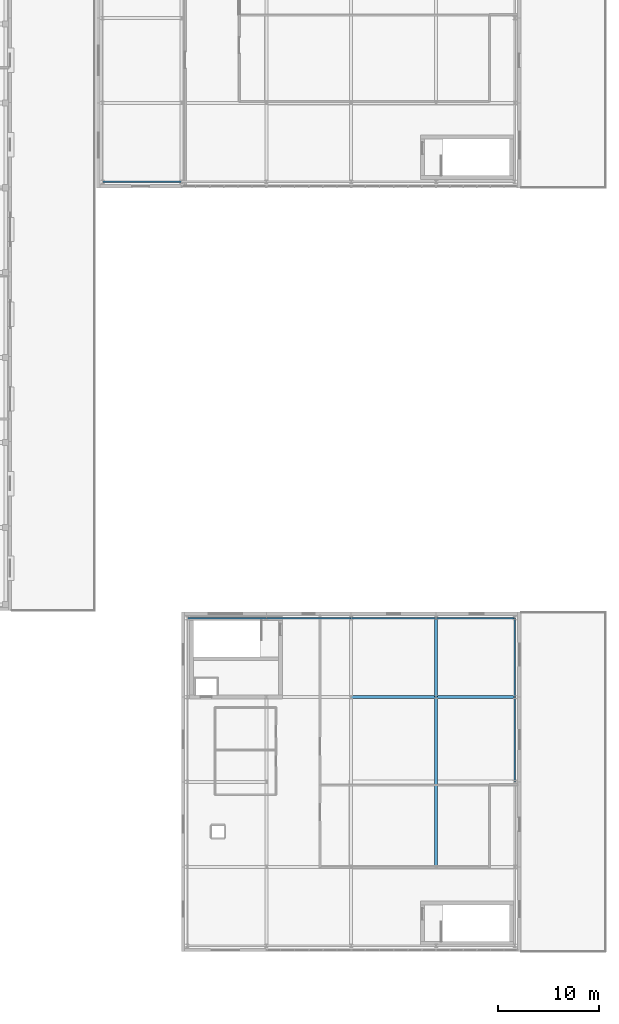
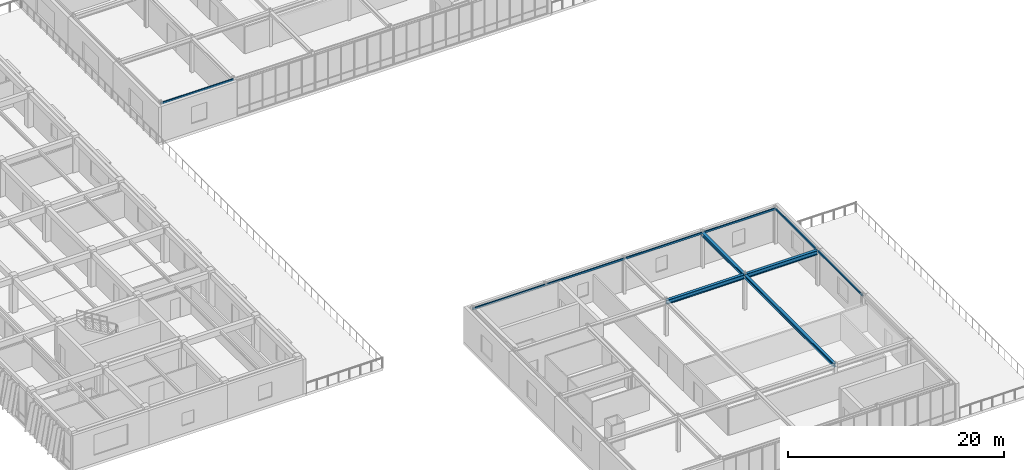
# One storey, part 79 of 127: 11 beams.
"""IFC4 building model written with IfcOpenShell, lengths in metres."""

from ifc_helpers import new_model, si_unit, direction, frame, origin, origin_2d, place, context, subcontext, project, spatial, hollow_rectangle, i_section, extrude, material, material_profile, profile_set, type_object, element, save


model = new_model("IFC4")

# Units and contexts
model_context = context("Model", 3, precision=1e-05, world=origin(), true_north=direction((0.0, 1.0)))
body_context = subcontext(model_context, "Body", "Model", "MODEL_VIEW")
ifc_project = project(units=[si_unit("LENGTHUNIT", "METRE"), si_unit("AREAUNIT", "SQUARE_METRE"), si_unit("VOLUMEUNIT", "CUBIC_METRE"), si_unit("PLANEANGLEUNIT", "RADIAN"), si_unit("MASSUNIT", "GRAM", prefix="KILO")], contexts=[model_context])

# Site, building, storey
site_placement = place(None, origin())
site = spatial("IfcSite", under=ifc_project, at=site_placement, CompositionType="ELEMENT")
building_placement = place(site_placement, origin())
building = spatial("IfcBuilding", under=site, at=building_placement, Name="Zayran Congress Hotel", CompositionType="ELEMENT")
storey_placement = place(building_placement, frame((0.0, 0.0, 10.800048828125)))
storey = spatial("IfcBuildingStorey", under=building, at=storey_placement, Name="L02", CompositionType="ELEMENT", Elevation=10.800048828125)

# Beams
ifc_material = material(Name="Steel S355", Category="steel")
ifc_material_profile_1 = material_profile(ifc_material, i_section(OverallWidth=0.300048828125, OverallDepth=0.489990234375, WebThickness=0.011962890625, FlangeThickness=0.02294921875, at=origin_2d()), Name="HEA 500")
ifc_profile_set_1 = profile_set([ifc_material_profile_1], Name="Steel S355")
beam_type_1 = type_object("IfcBeamType", Name="TP-BM-05", PredefinedType="BEAM", material=ifc_profile_set_1)
beam_1_placement = place(storey_placement, frame((168.0, 34.0, 3.7548828125), z_axis=(1.0, 0.0, 0.0), x_axis=(0.0, 1.0, 0.0)))
element("IfcBeam", 1, at=beam_1_placement, inside=storey, type_object=beam_type_1, Name="BM-V3-L02-1185", PredefinedType="BEAM", context=body_context, shape_type="SweptSolid", body=[
    extrude(i_section(OverallWidth=0.300048828125, OverallDepth=0.489990234375, WebThickness=0.011962890625, FlangeThickness=0.02294921875, at=origin_2d()), origin(), (0.0, 0.0, 1.0), 8.39990234375),
])
beam_2_placement = place(storey_placement, frame((176.39990234375, 34.0, 3.7548828125), z_axis=(1.0, 0.0, 0.0), x_axis=(0.0, 1.0, 0.0)))
element("IfcBeam", 2, at=beam_2_placement, inside=storey, type_object=beam_type_1, Name="BM-V3-L02-1186", PredefinedType="BEAM", context=body_context, shape_type="SweptSolid", body=[
    extrude(i_section(OverallWidth=0.300048828125, OverallDepth=0.489990234375, WebThickness=0.011962890625, FlangeThickness=0.02294921875, at=origin_2d()), origin(), (0.0, 0.0, 1.0), 7.800048828125),
])
ifc_material_profile_2 = material_profile(ifc_material, i_section(OverallWidth=0.300048828125, OverallDepth=0.389892578125, WebThickness=0.010986328125, FlangeThickness=0.01904296875, at=origin_2d()), Name="HEA 400")
ifc_profile_set_2 = profile_set([ifc_material_profile_2], Name="Steel S355")
beam_type_2 = type_object("IfcBeamType", Name="TP-BM-06", PredefinedType="BEAM", material=ifc_profile_set_2)
beam_3_placement = place(storey_placement, frame((176.39990234375, 17.199951171875, 3.804931640625), z_axis=(0.0, 1.0, 0.0), x_axis=(-1.0, 0.0, 0.0)))
element("IfcBeam", 3, at=beam_3_placement, inside=storey, type_object=beam_type_2, Name="BM-V3-L02-1201", PredefinedType="BEAM", context=body_context, shape_type="SweptSolid", body=[
    extrude(i_section(OverallWidth=0.300048828125, OverallDepth=0.389892578125, WebThickness=0.010986328125, FlangeThickness=0.01904296875, at=origin_2d()), origin(), (0.0, 0.0, 1.0), 16.800048828125),
])
beam_4_placement = place(storey_placement, frame((176.39990234375, 34.0, 3.804931640625), z_axis=(0.0, 1.0, 0.0), x_axis=(-1.0, 0.0, 0.0)))
element("IfcBeam", 4, at=beam_4_placement, inside=storey, type_object=beam_type_2, Name="BM-V3-L02-1202", PredefinedType="BEAM", context=body_context, shape_type="SweptSolid", body=[
    extrude(i_section(OverallWidth=0.300048828125, OverallDepth=0.389892578125, WebThickness=0.010986328125, FlangeThickness=0.01904296875, at=origin_2d()), origin(), (0.0, 0.0, 1.0), 7.800048828125),
])
ifc_material_profile_3 = material_profile(ifc_material, hollow_rectangle(XDim=0.1201171875, YDim=0.199951171875, WallThickness=0.008056640625, at=origin_2d()), Name="RHS 200x120x8")
ifc_profile_set_3 = profile_set([ifc_material_profile_3], Name="Steel S355")
beam_type_3 = type_object("IfcBeamType", Name="TP-SP-02", PredefinedType="SPANDREL", material=ifc_profile_set_3)
for number, where, z_axis, x_axis, name in (
    (5, (143.39990234375, 85.0, 3.89990234375), (1.0, 0.0, 0.0), (0.0, 1.0, 0.0), "BM-V2-L02-1009"),
    (6, (151.800048828125, 41.800048828125, 3.89990234375), (1.0, 0.0, 0.0), (0.0, 1.0, 0.0), "BM-V3-L02-1187"),
):
    element("IfcBeam", number, at=place(storey_placement, frame(where, z_axis=z_axis, x_axis=x_axis)), inside=storey, type_object=beam_type_3, Name=name, PredefinedType="SPANDREL", context=body_context, shape_type="SweptSolid", body=[
        extrude(hollow_rectangle(XDim=0.1201171875, YDim=0.199951171875, WallThickness=0.008056640625, at=origin_2d()), origin(), (0.0, 0.0, 1.0), 7.800048828125),
    ])
for number, where, z_axis, x_axis, name in (
    (7, (159.60009765625, 41.800048828125, 3.89990234375), (1.0, 0.0, 0.0), (0.0, 1.0, 0.0), "BM-V3-L02-1188"),
    (8, (168.0, 41.800048828125, 3.89990234375), (1.0, 0.0, 0.0), (0.0, 1.0, 0.0), "BM-V3-L02-1189"),
):
    element("IfcBeam", number, at=place(storey_placement, frame(where, z_axis=z_axis, x_axis=x_axis)), inside=storey, type_object=beam_type_3, Name=name, PredefinedType="SPANDREL", context=body_context, shape_type="SweptSolid", body=[
        extrude(hollow_rectangle(XDim=0.1201171875, YDim=0.199951171875, WallThickness=0.008056640625, at=origin_2d()), origin(), (0.0, 0.0, 1.0), 8.39990234375),
    ])
beam_5_placement = place(storey_placement, frame((176.39990234375, 41.800048828125, 3.89990234375), z_axis=(1.0, 0.0, 0.0), x_axis=(0.0, 1.0, 0.0)))
element("IfcBeam", 9, at=beam_5_placement, inside=storey, type_object=beam_type_3, Name="BM-V3-L02-1190", PredefinedType="SPANDREL", context=body_context, shape_type="SweptSolid", body=[
    extrude(hollow_rectangle(XDim=0.1201171875, YDim=0.199951171875, WallThickness=0.008056640625, at=origin_2d()), origin(), (0.0, 0.0, 1.0), 7.800048828125),
])
beam_6_placement = place(storey_placement, frame((184.199951171875, 25.60009765625, 3.89990234375), z_axis=(0.0, 1.0, 0.0), x_axis=(-1.0, 0.0, 0.0)))
element("IfcBeam", 10, at=beam_6_placement, inside=storey, type_object=beam_type_3, Name="BM-V3-L02-1205", PredefinedType="SPANDREL", context=body_context, shape_type="SweptSolid", body=[
    extrude(hollow_rectangle(XDim=0.1201171875, YDim=0.199951171875, WallThickness=0.008056640625, at=origin_2d()), origin(), (0.0, 0.0, 1.0), 8.39990234375),
])
beam_7_placement = place(storey_placement, frame((184.199951171875, 34.0, 3.89990234375), z_axis=(0.0, 1.0, 0.0), x_axis=(-1.0, 0.0, 0.0)))
element("IfcBeam", 11, at=beam_7_placement, inside=storey, type_object=beam_type_3, Name="BM-V3-L02-1206", PredefinedType="SPANDREL", context=body_context, shape_type="SweptSolid", body=[
    extrude(hollow_rectangle(XDim=0.1201171875, YDim=0.199951171875, WallThickness=0.008056640625, at=origin_2d()), origin(), (0.0, 0.0, 1.0), 7.800048828125),
])

save(model, "model.ifc")
